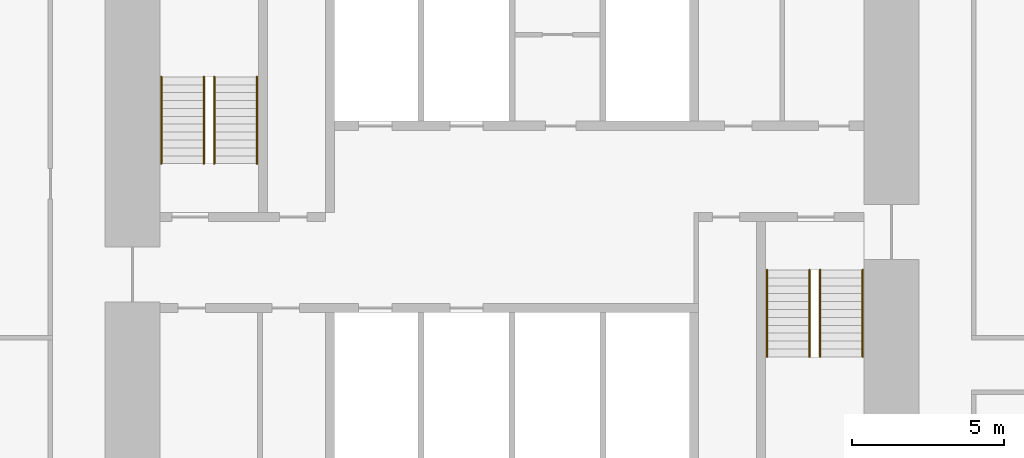
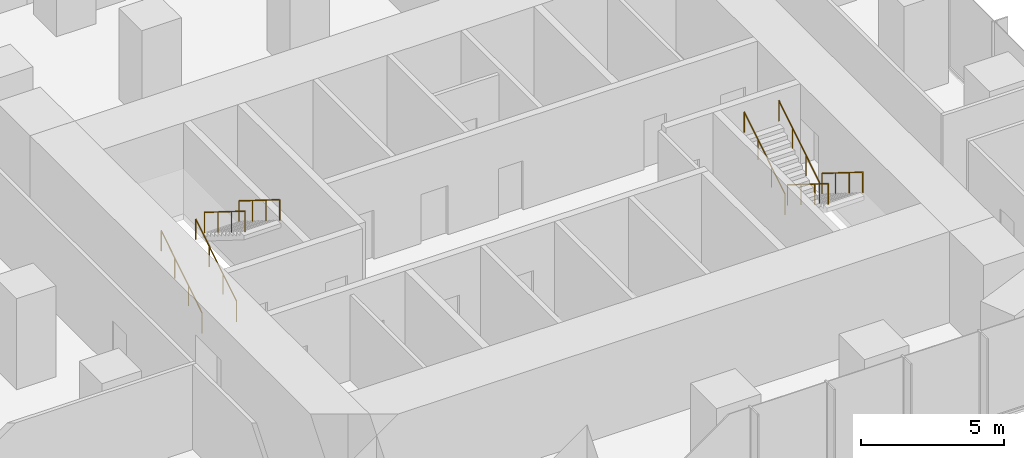
# One storey, part 11 of 11: 8 railings.
"""IFC4 building model written with IfcOpenShell, lengths in metres."""

from ifc_helpers import new_model, si_unit, direction, frame, origin, origin_2d, place, context, subcontext, project, spatial, circle, extrude, material, type_object, element, save


model = new_model("IFC4")

# Units and contexts
model_context = context("Model", 3, precision=1e-05, world=origin(), true_north=direction((0.0, 1.0)))
body_context = subcontext(model_context, "Body", "Model", "MODEL_VIEW")
ifc_project = project(units=[si_unit("LENGTHUNIT", "METRE"), si_unit("AREAUNIT", "SQUARE_METRE"), si_unit("VOLUMEUNIT", "CUBIC_METRE"), si_unit("PLANEANGLEUNIT", "RADIAN"), si_unit("MASSUNIT", "GRAM", prefix="KILO")], contexts=[model_context])

# Site, building, storey
site_placement = place(None, origin())
site = spatial("IfcSite", under=ifc_project, at=site_placement, CompositionType="ELEMENT")
building_placement = place(site_placement, origin())
building = spatial("IfcBuilding", under=site, at=building_placement, Name="Highveld Stack Headquarters", CompositionType="ELEMENT")
storey_placement = place(building_placement, frame((0.0, 0.0, 105.5)))
storey = spatial("IfcBuildingStorey", under=building, at=storey_placement, Name="L25", CompositionType="ELEMENT", Elevation=105.5)

# Railings
ifc_material = material(Name="Stainless steel handrail", Category="steel")
railing_type = type_object("IfcRailingType", Name="STAIR HANDRAIL HR1 900", PredefinedType="HANDRAIL", material=ifc_material)
for number, where, name in (
    (1, (-5.550048828125, 4.75, 0.16259765625), "Handrail S1 L25 flight 1"),
    (2, (-4.14990234375, 4.75, 0.16259765625), "Handrail S1 L25 flight 1"),
):
    element("IfcRailing", number, at=place(storey_placement, frame(where)), inside=storey, type_object=railing_type, Name=name, PredefinedType="HANDRAIL", context=body_context, shape_type="SweptSolid", body=[
        extrude(circle(Radius=0.02392578125, at=origin_2d()), frame((0.0, 0.0, 0.8759765625), z_axis=(0.0, 0.848026770018, 0.529953391661), x_axis=(-1.0, 0.0, 0.0)), (0.0, 0.0, 1.0), 3.37255859375),
        extrude(circle(Radius=0.02099609375, at=origin_2d()), origin(), (0.0, 0.0, 1.0), 0.851806640625),
        extrude(circle(Radius=0.02099609375, at=origin_2d()), frame((0.0, 0.953369140625, 0.595703125)), (0.0, 0.0, 1.0), 0.851806640625),
        extrude(circle(Radius=0.02099609375, at=origin_2d()), frame((0.0, 1.90673828125, 1.191650390625)), (0.0, 0.0, 1.0), 0.851806640625),
        extrude(circle(Radius=0.02099609375, at=origin_2d()), frame((0.0, 2.860107421875, 1.787353515625)), (0.0, 0.0, 1.0), 0.851806640625),
    ])
for number, where, name in (
    (3, (-3.800048828125, 7.610107421875, 2.112548828125), "Handrail S1 L25 flight 2"),
    (4, (-2.39990234375, 7.610107421875, 2.112548828125), "Handrail S1 L25 flight 2"),
    (5, (16.14990234375, 1.25, 0.16259765625), "Handrail S2 L25 flight 1"),
    (6, (17.550048828125, 1.25, 0.16259765625), "Handrail S2 L25 flight 1"),
):
    element("IfcRailing", number, at=place(storey_placement, frame(where)), inside=storey, type_object=railing_type, Name=name, PredefinedType="HANDRAIL", context=body_context, shape_type="SweptSolid", body=[
        extrude(circle(Radius=0.02392578125, at=origin_2d()), frame((0.0, 0.0, 0.8759765625), z_axis=(0.0, -0.848026770018, 0.529953391661), x_axis=(1.0, 0.0, 0.0)), (0.0, 0.0, 1.0), 3.37255859375),
        extrude(circle(Radius=0.02099609375, at=origin_2d()), origin(), (0.0, 0.0, 1.0), 0.851806640625),
        extrude(circle(Radius=0.02099609375, at=origin_2d()), frame((0.0, -0.953369140625, 0.595703125)), (0.0, 0.0, 1.0), 0.851806640625),
        extrude(circle(Radius=0.02099609375, at=origin_2d()), frame((0.0, -1.90673828125, 1.191650390625)), (0.0, 0.0, 1.0), 0.851806640625),
        extrude(circle(Radius=0.02099609375, at=origin_2d()), frame((0.0, -2.860107421875, 1.787353515625)), (0.0, 0.0, 1.0), 0.851806640625),
    ])
for number, where, name in (
    (7, (14.39990234375, -1.610107421875, 2.112548828125), "Handrail S2 L25 flight 2"),
    (8, (15.800048828125, -1.610107421875, 2.112548828125), "Handrail S2 L25 flight 2"),
):
    element("IfcRailing", number, at=place(storey_placement, frame(where)), inside=storey, type_object=railing_type, Name=name, PredefinedType="HANDRAIL", context=body_context, shape_type="SweptSolid", body=[
        extrude(circle(Radius=0.02392578125, at=origin_2d()), frame((0.0, 0.0, 0.8759765625), z_axis=(0.0, 0.848026770018, 0.529953391661), x_axis=(-1.0, 0.0, 0.0)), (0.0, 0.0, 1.0), 3.37255859375),
        extrude(circle(Radius=0.02099609375, at=origin_2d()), origin(), (0.0, 0.0, 1.0), 0.851806640625),
        extrude(circle(Radius=0.02099609375, at=origin_2d()), frame((0.0, 0.953369140625, 0.595703125)), (0.0, 0.0, 1.0), 0.851806640625),
        extrude(circle(Radius=0.02099609375, at=origin_2d()), frame((0.0, 1.90673828125, 1.191650390625)), (0.0, 0.0, 1.0), 0.851806640625),
        extrude(circle(Radius=0.02099609375, at=origin_2d()), frame((0.0, 2.860107421875, 1.787353515625)), (0.0, 0.0, 1.0), 0.851806640625),
    ])

save(model, "model.ifc")
